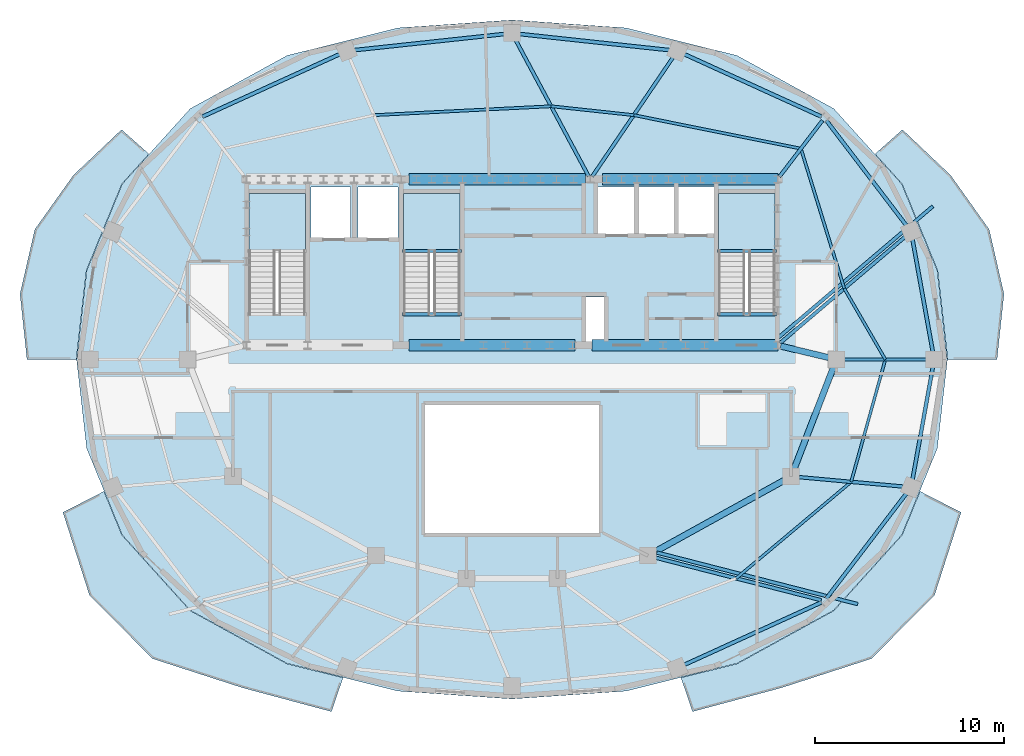
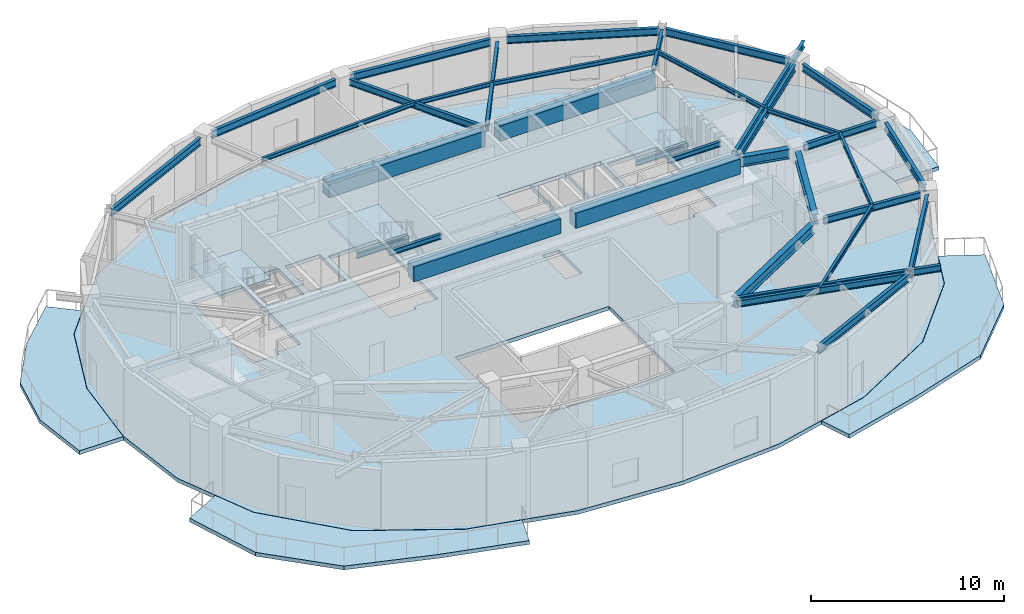
# One storey, part 2 of 9: 36 beams, 8 slabs, 3 elements without a shape of their own.
"""IFC4 building model written with IfcOpenShell, lengths in metres."""

from ifc_helpers import new_model, si_unit, direction, frame, origin, origin_2d, place, context, subcontext, project, spatial, polyline, rectangle, i_section, outline, extrude, material, layer, layer_set, material_profile, profile_set, type_object, element, aggregate, save


model = new_model("IFC4")

# Units and contexts
model_context = context("Model", 3, precision=1e-05, world=origin(), true_north=direction((0.0, 1.0)))
body_context = subcontext(model_context, "Body", "Model", "MODEL_VIEW")
ifc_project = project(units=[si_unit("LENGTHUNIT", "METRE"), si_unit("AREAUNIT", "SQUARE_METRE"), si_unit("VOLUMEUNIT", "CUBIC_METRE"), si_unit("PLANEANGLEUNIT", "RADIAN"), si_unit("MASSUNIT", "GRAM", prefix="KILO")], contexts=[model_context])

# Site, building, storey
site_placement = place(None, origin())
site = spatial("IfcSite", under=ifc_project, at=site_placement, CompositionType="ELEMENT")
building_placement = place(site_placement, origin())
building = spatial("IfcBuilding", under=site, at=building_placement, Name="Haldorwick Loom Tower", CompositionType="ELEMENT")
storey_placement = place(building_placement, frame((0.0, 0.0, 277.5)))
storey = spatial("IfcBuildingStorey", under=building, at=storey_placement, Name="L75", CompositionType="ELEMENT", Elevation=277.5)

# Beams
ifc_material_1 = material(Name="Steel CSA G40.21 350W", Category="steel")
ifc_material_profile_1 = material_profile(ifc_material_1, i_section(OverallWidth=0.179931640625, OverallDepth=0.4130859375, WebThickness=0.009765625, FlangeThickness=0.01611328125, at=origin_2d()), Name="W410X74", Category="steel")
ifc_profile_set_1 = profile_set([ifc_material_profile_1], Name="Steel CSA G40.21 350W")
beam_type_1 = type_object("IfcBeamType", Name="STR-BM-BAL410", PredefinedType="BEAM", material=ifc_profile_set_1)
beam_1_placement = place(storey_placement, frame((43.681396484375, 15.765625, 4.053466796875), z_axis=(0.968611485287, -0.24857954576, 0.0), x_axis=(0.24857954576, 0.968611485287, 0.0)))
element("IfcBeam", 1, at=beam_1_placement, inside=storey, type_object=beam_type_1, Name="L75 Continuous Back-Spanned Balcony Beam 1", PredefinedType="BEAM", context=body_context, shape_type="SweptSolid", body=[
    extrude(i_section(OverallWidth=0.179931640625, OverallDepth=0.4130859375, WebThickness=0.009765625, FlangeThickness=0.01611328125, at=origin_2d()), origin(), (0.0, 0.0, 1.0), 10.98828125),
])
beam_2_placement = place(storey_placement, frame((50.019287109375, 27.074462890625, 4.053466796875), z_axis=(0.761960357793, 0.6476236663, 0.0), x_axis=(-0.6476236663, 0.761960357793, 0.0)))
element("IfcBeam", 2, at=beam_2_placement, inside=storey, type_object=beam_type_1, Name="L75 Continuous Back-Spanned Balcony Beam 4", PredefinedType="BEAM", context=body_context, shape_type="SweptSolid", body=[
    extrude(i_section(OverallWidth=0.179931640625, OverallDepth=0.4130859375, WebThickness=0.009765625, FlangeThickness=0.01611328125, at=origin_2d()), origin(), (0.0, 0.0, 1.0), 10.879150390625),
])
ifc_material_2 = material(Name="Concrete C50 (50 MPa)", Category="concrete")
ifc_material_profile_2 = material_profile(ifc_material_2, rectangle(XDim=0.60009765625, YDim=0.949951171875, at=origin_2d()), Name="RC600X950", Category="concrete")
ifc_profile_set_2 = profile_set([ifc_material_profile_2], Name="Concrete C50 (50 MPa)")
beam_type_2 = type_object("IfcBeamType", Name="STR-BM-CB950", PredefinedType="LINTEL", material=ifc_profile_set_2)
beam_3_placement = place(storey_placement, frame((30.550048828125, 35.550048828125, 3.784912109375), z_axis=(1.0, 0.0, 0.0), x_axis=(0.0, 1.0, 0.0)))
element("IfcBeam", 3, at=beam_3_placement, inside=storey, type_object=beam_type_2, Name="L75 Core Coupling Beam CB-N2", PredefinedType="LINTEL", context=body_context, shape_type="SweptSolid", body=[
    extrude(rectangle(XDim=0.60009765625, YDim=0.949951171875, at=origin_2d()), origin(), (0.0, 0.0, 1.0), 9.349853515625),
])
beam_4_placement = place(storey_placement, frame((40.800048828125, 35.550048828125, 3.784912109375), z_axis=(1.0, 0.0, 0.0), x_axis=(0.0, 1.0, 0.0)))
element("IfcBeam", 4, at=beam_4_placement, inside=storey, type_object=beam_type_2, Name="L75 Core Coupling Beam CB-N3", PredefinedType="LINTEL", context=body_context, shape_type="SweptSolid", body=[
    extrude(rectangle(XDim=0.60009765625, YDim=0.949951171875, at=origin_2d()), origin(), (0.0, 0.0, 1.0), 9.300048828125),
])
beam_5_placement = place(storey_placement, frame((30.550048828125, 26.75, 3.784912109375), z_axis=(1.0, 0.0, 0.0), x_axis=(0.0, 1.0, 0.0)))
element("IfcBeam", 5, at=beam_5_placement, inside=storey, type_object=beam_type_2, Name="L75 Core Coupling Beam CB-S2", PredefinedType="LINTEL", context=body_context, shape_type="SweptSolid", body=[
    extrude(rectangle(XDim=0.60009765625, YDim=0.949951171875, at=origin_2d()), origin(), (0.0, 0.0, 1.0), 8.800048828125),
])
beam_6_placement = place(storey_placement, frame((40.25, 26.75, 3.784912109375), z_axis=(1.0, 0.0, 0.0), x_axis=(0.0, 1.0, 0.0)))
element("IfcBeam", 6, at=beam_6_placement, inside=storey, type_object=beam_type_2, Name="L75 Core Coupling Beam CB-S3", PredefinedType="LINTEL", context=body_context, shape_type="SweptSolid", body=[
    extrude(rectangle(XDim=0.60009765625, YDim=0.949951171875, at=origin_2d()), origin(), (0.0, 0.0, 1.0), 9.85009765625),
])
ifc_material_profile_3 = material_profile(ifc_material_1, i_section(OverallWidth=0.14599609375, OverallDepth=0.258056640625, WebThickness=0.006103515625, FlangeThickness=0.009033203125, at=origin_2d()), Name="W250X33", Category="steel")
ifc_profile_set_3 = profile_set([ifc_material_profile_3], Name="Steel CSA G40.21 350W")
beam_type_3 = type_object("IfcBeamType", Name="STR-BM-J250", PredefinedType="JOIST", material=ifc_profile_set_3)
beam_7_placement = place(storey_placement, frame((55.790283203125, 26.0, 4.131103515625), z_axis=(-0.50089233553, 0.865509600297, 0.0), x_axis=(-0.865509600297, -0.50089233553, 0.0)))
element("IfcBeam", 7, at=beam_7_placement, inside=storey, type_object=beam_type_3, Name="L75 Mid-Bay Secondary Joist 1", PredefinedType="JOIST", context=body_context, shape_type="SweptSolid", body=[
    extrude(i_section(OverallWidth=0.14599609375, OverallDepth=0.258056640625, WebThickness=0.006103515625, FlangeThickness=0.009033203125, at=origin_2d()), origin(), (0.0, 0.0, 1.0), 4.34619140625),
])
beam_8_placement = place(storey_placement, frame((53.61328125, 29.76171875, 4.131103515625), z_axis=(-0.296087580312, 0.955160795251, 0.0), x_axis=(-0.955160795251, -0.296087580312, 0.0)))
element("IfcBeam", 8, at=beam_8_placement, inside=storey, type_object=beam_type_3, Name="L75 Mid-Bay Secondary Joist 2", PredefinedType="JOIST", context=body_context, shape_type="SweptSolid", body=[
    extrude(i_section(OverallWidth=0.14599609375, OverallDepth=0.258056640625, WebThickness=0.006103515625, FlangeThickness=0.009033203125, at=origin_2d()), origin(), (0.0, 0.0, 1.0), 7.762451171875),
])
beam_9_placement = place(storey_placement, frame((51.31494140625, 37.176025390625, 4.131103515625), z_axis=(-0.980500562343, 0.196516277302, 0.0), x_axis=(-0.196516277302, -0.980500562343, 0.0)))
element("IfcBeam", 9, at=beam_9_placement, inside=storey, type_object=beam_type_3, Name="L75 Mid-Bay Secondary Joist 3", PredefinedType="JOIST", context=body_context, shape_type="SweptSolid", body=[
    extrude(i_section(OverallWidth=0.14599609375, OverallDepth=0.258056640625, WebThickness=0.006103515625, FlangeThickness=0.009033203125, at=origin_2d()), origin(), (0.0, 0.0, 1.0), 9.034423828125),
])
beam_10_placement = place(storey_placement, frame((42.456787109375, 38.951416015625, 4.131103515625), z_axis=(-0.994268003688, 0.106916494714, 0.0), x_axis=(-0.106916494714, -0.994268003688, 0.0)))
element("IfcBeam", 10, at=beam_10_placement, inside=storey, type_object=beam_type_3, Name="L75 Mid-Bay Secondary Joist 4", PredefinedType="JOIST", context=body_context, shape_type="SweptSolid", body=[
    extrude(i_section(OverallWidth=0.14599609375, OverallDepth=0.258056640625, WebThickness=0.006103515625, FlangeThickness=0.009033203125, at=origin_2d()), origin(), (0.0, 0.0, 1.0), 4.406982421875),
])
beam_11_placement = place(storey_placement, frame((38.074951171875, 39.422607421875, 4.131103515625), z_axis=(-0.998743777835, -0.050108544536, 0.0), x_axis=(0.050108544536, -0.998743777835, 0.0)))
element("IfcBeam", 11, at=beam_11_placement, inside=storey, type_object=beam_type_3, Name="L75 Mid-Bay Secondary Joist 5", PredefinedType="JOIST", context=body_context, shape_type="SweptSolid", body=[
    extrude(i_section(OverallWidth=0.14599609375, OverallDepth=0.258056640625, WebThickness=0.006103515625, FlangeThickness=0.009033203125, at=origin_2d()), origin(), (0.0, 0.0, 1.0), 9.4033203125),
])
beam_12_placement = place(storey_placement, frame((47.8798828125, 14.39892578125, 4.131103515625), z_axis=(0.766236362394, 0.642558819833, 0.0), x_axis=(-0.642558819833, 0.766236362394, 0.0)))
element("IfcBeam", 12, at=beam_12_placement, inside=storey, type_object=beam_type_3, Name="L75 Mid-Bay Secondary Joist 15", PredefinedType="JOIST", context=body_context, shape_type="SweptSolid", body=[
    extrude(i_section(OverallWidth=0.14599609375, OverallDepth=0.258056640625, WebThickness=0.006103515625, FlangeThickness=0.009033203125, at=origin_2d()), origin(), (0.0, 0.0, 1.0), 7.959228515625),
])
beam_13_placement = place(storey_placement, frame((53.978515625, 19.51318359375, 4.131103515625), z_axis=(0.269004652199, 0.963138877367, 0.0), x_axis=(-0.963138877367, 0.269004652199, 0.0)))
element("IfcBeam", 13, at=beam_13_placement, inside=storey, type_object=beam_type_3, Name="L75 Mid-Bay Secondary Joist 16", PredefinedType="JOIST", context=body_context, shape_type="SweptSolid", body=[
    extrude(i_section(OverallWidth=0.14599609375, OverallDepth=0.258056640625, WebThickness=0.006103515625, FlangeThickness=0.009033203125, at=origin_2d()), origin(), (0.0, 0.0, 1.0), 6.735107421875),
])
ifc_material_profile_4 = material_profile(ifc_material_1, i_section(OverallWidth=0.179931640625, OverallDepth=0.4130859375, WebThickness=0.009765625, FlangeThickness=0.01611328125, at=origin_2d()), Name="W410X74", Category="steel")
ifc_profile_set_4 = profile_set([ifc_material_profile_4], Name="Steel CSA G40.21 350W")
beam_type_4 = type_object("IfcBeamType", Name="STR-BM-J410", PredefinedType="JOIST", material=ifc_profile_set_4)
beam_14_placement = place(storey_placement, frame((53.625, 26.0, 4.053466796875), z_axis=(1.0, 0.0, 0.0), x_axis=(0.0, 1.0, 0.0)))
element("IfcBeam", 14, at=beam_14_placement, inside=storey, type_object=beam_type_4, Name="L75 Radial Floor Girder 1", PredefinedType="JOIST", context=body_context, shape_type="SweptSolid", body=[
    extrude(i_section(OverallWidth=0.179931640625, OverallDepth=0.4130859375, WebThickness=0.009765625, FlangeThickness=0.01611328125, at=origin_2d()), origin(), (0.0, 0.0, 1.0), 4.330810546875),
])
beam_15_placement = place(storey_placement, frame((50.20068359375, 26.861083984375, 4.053466796875), z_axis=(0.761954542494, 0.647630508216, 0.0), x_axis=(-0.647630508216, 0.761954542494, 0.0)))
element("IfcBeam", 15, at=beam_15_placement, inside=storey, type_object=beam_type_4, Name="L75 Radial Floor Girder 2", PredefinedType="JOIST", context=body_context, shape_type="SweptSolid", body=[
    extrude(i_section(OverallWidth=0.179931640625, OverallDepth=0.4130859375, WebThickness=0.009765625, FlangeThickness=0.01611328125, at=origin_2d()), origin(), (0.0, 0.0, 1.0), 8.704345703125),
])
beam_16_placement = place(storey_placement, frame((50.17431640625, 35.686279296875, 4.053466796875), z_axis=(0.607923320425, 0.793995740847, 0.0), x_axis=(-0.793995740847, 0.607923320425, 0.0)))
element("IfcBeam", 16, at=beam_16_placement, inside=storey, type_object=beam_type_4, Name="L75 Radial Floor Girder 3", PredefinedType="JOIST", context=body_context, shape_type="SweptSolid", body=[
    extrude(i_section(OverallWidth=0.179931640625, OverallDepth=0.4130859375, WebThickness=0.009765625, FlangeThickness=0.01611328125, at=origin_2d()), origin(), (0.0, 0.0, 1.0), 3.75244140625),
])
beam_17_placement = place(storey_placement, frame((40.246337890625, 35.69189453125, 4.053466796875), z_axis=(0.561268006634, 0.827634112835, 0.0), x_axis=(-0.827634112835, 0.561268006634, 0.0)))
element("IfcBeam", 17, at=beam_17_placement, inside=storey, type_object=beam_type_4, Name="L75 Radial Floor Girder 4", PredefinedType="JOIST", context=body_context, shape_type="SweptSolid", body=[
    extrude(i_section(OverallWidth=0.179931640625, OverallDepth=0.4130859375, WebThickness=0.009765625, FlangeThickness=0.01611328125, at=origin_2d()), origin(), (0.0, 0.0, 1.0), 7.623046875),
])
beam_18_placement = place(storey_placement, frame((40.069091796875, 35.701171875, 4.053466796875), z_axis=(-0.472299991388, 0.881437869696, 0.0), x_axis=(-0.881437869696, -0.472299991388, 0.0)))
element("IfcBeam", 18, at=beam_18_placement, inside=storey, type_object=beam_type_4, Name="L75 Radial Floor Girder 5", PredefinedType="JOIST", context=body_context, shape_type="SweptSolid", body=[
    extrude(i_section(OverallWidth=0.179931640625, OverallDepth=0.4130859375, WebThickness=0.009765625, FlangeThickness=0.01611328125, at=origin_2d()), origin(), (0.0, 0.0, 1.0), 8.190673828125),
])
beam_19_placement = place(storey_placement, frame((43.61181640625, 15.494384765625, 4.053466796875), z_axis=(0.968607693966, -0.248594318498, 0.0), x_axis=(0.248594318498, 0.968607693966, 0.0)))
element("IfcBeam", 19, at=beam_19_placement, inside=storey, type_object=beam_type_4, Name="L75 Radial Floor Girder 15", PredefinedType="JOIST", context=body_context, shape_type="SweptSolid", body=[
    extrude(i_section(OverallWidth=0.179931640625, OverallDepth=0.4130859375, WebThickness=0.009765625, FlangeThickness=0.01611328125, at=origin_2d()), origin(), (0.0, 0.0, 1.0), 9.066650390625),
])
beam_20_placement = place(storey_placement, frame((51.223388671875, 19.76171875, 4.053466796875), z_axis=(0.995955545461, -0.08984737873, 0.0), x_axis=(0.08984737873, 0.995955545461, 0.0)))
element("IfcBeam", 20, at=beam_20_placement, inside=storey, type_object=beam_type_4, Name="L75 Radial Floor Girder 16", PredefinedType="JOIST", context=body_context, shape_type="SweptSolid", body=[
    extrude(i_section(OverallWidth=0.179931640625, OverallDepth=0.4130859375, WebThickness=0.009765625, FlangeThickness=0.01611328125, at=origin_2d()), origin(), (0.0, 0.0, 1.0), 5.532470703125),
])
ifc_material_profile_5 = material_profile(ifc_material_1, i_section(OverallWidth=0.193115234375, OverallDepth=0.466064453125, WebThickness=0.011474609375, FlangeThickness=0.01904296875, at=origin_2d()), Name="W460X97", Category="steel")
ifc_profile_set_5 = profile_set([ifc_material_profile_5], Name="Steel CSA G40.21 350W")
beam_type_5 = type_object("IfcBeamType", Name="STR-BM-SP460", PredefinedType="SPANDREL", material=ifc_profile_set_5)
beam_21_placement = place(storey_placement, frame((58.30517578125, 26.418212890625, 4.027099609375), z_axis=(-0.177809893073, 0.984064856565, 0.0), x_axis=(-0.984064856565, -0.177809893073, 0.0)))
element("IfcBeam", 21, at=beam_21_placement, inside=storey, type_object=beam_type_5, Name="L75 Perimeter Spandrel 1", PredefinedType="SPANDREL", context=body_context, shape_type="SweptSolid", body=[
    extrude(i_section(OverallWidth=0.193115234375, OverallDepth=0.466064453125, WebThickness=0.011474609375, FlangeThickness=0.01904296875, at=origin_2d()), origin(), (0.0, 0.0, 1.0), 6.033203125),
])
beam_22_placement = place(storey_placement, frame((56.899169921875, 33.111572265625, 4.027099609375), z_axis=(-0.606384376075, 0.795171672315, 0.0), x_axis=(-0.795171672315, -0.606384376075, 0.0)))
element("IfcBeam", 22, at=beam_22_placement, inside=storey, type_object=beam_type_5, Name="L75 Perimeter Spandrel 2", PredefinedType="SPANDREL", context=body_context, shape_type="SweptSolid", body=[
    extrude(i_section(OverallWidth=0.193115234375, OverallDepth=0.466064453125, WebThickness=0.011474609375, FlangeThickness=0.01904296875, at=origin_2d()), origin(), (0.0, 0.0, 1.0), 6.984619140625),
])
beam_23_placement = place(storey_placement, frame((52.40380859375, 38.873046875, 4.027099609375), z_axis=(-0.910060964072, 0.414474416185, 0.0), x_axis=(-0.414474416185, -0.910060964072, 0.0)))
element("IfcBeam", 23, at=beam_23_placement, inside=storey, type_object=beam_type_5, Name="L75 Perimeter Spandrel 3", PredefinedType="SPANDREL", context=body_context, shape_type="SweptSolid", body=[
    extrude(i_section(OverallWidth=0.193115234375, OverallDepth=0.466064453125, WebThickness=0.011474609375, FlangeThickness=0.01904296875, at=origin_2d()), origin(), (0.0, 0.0, 1.0), 7.97021484375),
])
for number, where, z_axis, x_axis, name in (
    (24, (44.3408203125, 42.398193359375, 4.027099609375), (-0.994266744602, 0.106928202916, 0.0), (-0.106928202916, -0.994266744602, 0.0), "L75 Perimeter Spandrel 4"),
    (25, (35.577392578125, 43.249755859375, 4.027099609375), (-0.994266744602, -0.106928202916, 0.0), (0.106928202916, -0.994266744602, 0.0), "L75 Perimeter Spandrel 5"),
):
    element("IfcBeam", number, at=place(storey_placement, frame(where, z_axis=z_axis, x_axis=x_axis)), inside=storey, type_object=beam_type_5, Name=name, PredefinedType="SPANDREL", context=body_context, shape_type="SweptSolid", body=[
        extrude(i_section(OverallWidth=0.193115234375, OverallDepth=0.466064453125, WebThickness=0.011474609375, FlangeThickness=0.01904296875, at=origin_2d()), origin(), (0.0, 0.0, 1.0), 7.9638671875),
    ])
for number, where, z_axis, x_axis, name in (
    (26, (26.849609375, 42.176513671875, 4.027099609375), (-0.910060964072, -0.414474416185, 0.0), (0.414474416185, -0.910060964072, 0.0), "L75 Perimeter Spandrel 6"),
    (27, (45.150390625, 9.823486328125, 4.027099609375), (0.910060964072, 0.414474416185, 0.0), (-0.414474416185, 0.910060964072, 0.0), "L75 Perimeter Spandrel 14"),
):
    element("IfcBeam", number, at=place(storey_placement, frame(where, z_axis=z_axis, x_axis=x_axis)), inside=storey, type_object=beam_type_5, Name=name, PredefinedType="SPANDREL", context=body_context, shape_type="SweptSolid", body=[
        extrude(i_section(OverallWidth=0.193115234375, OverallDepth=0.466064453125, WebThickness=0.011474609375, FlangeThickness=0.01904296875, at=origin_2d()), origin(), (0.0, 0.0, 1.0), 7.97021484375),
    ])
beam_24_placement = place(storey_placement, frame((52.663818359375, 13.33447265625, 4.027099609375), z_axis=(0.606384376075, 0.795171672315, 0.0), x_axis=(-0.795171672315, 0.606384376075, 0.0)))
element("IfcBeam", 28, at=beam_24_placement, inside=storey, type_object=beam_type_5, Name="L75 Perimeter Spandrel 15", PredefinedType="SPANDREL", context=body_context, shape_type="SweptSolid", body=[
    extrude(i_section(OverallWidth=0.193115234375, OverallDepth=0.466064453125, WebThickness=0.011474609375, FlangeThickness=0.01904296875, at=origin_2d()), origin(), (0.0, 0.0, 1.0), 6.984619140625),
])
beam_25_placement = place(storey_placement, frame((57.232421875, 19.644775390625, 4.027099609375), z_axis=(0.177809893073, 0.984064856565, 0.0), x_axis=(-0.984064856565, 0.177809893073, 0.0)))
element("IfcBeam", 29, at=beam_25_placement, inside=storey, type_object=beam_type_5, Name="L75 Perimeter Spandrel 16", PredefinedType="SPANDREL", context=body_context, shape_type="SweptSolid", body=[
    extrude(i_section(OverallWidth=0.193115234375, OverallDepth=0.466064453125, WebThickness=0.011474609375, FlangeThickness=0.01904296875, at=origin_2d()), origin(), (0.0, 0.0, 1.0), 6.033203125),
])
ifc_material_profile_6 = material_profile(ifc_material_1, i_section(OverallWidth=0.166015625, OverallDepth=0.31298828125, WebThickness=0.006591796875, FlangeThickness=0.01123046875, at=origin_2d()), Name="W310X45", Category="steel")
ifc_profile_set_6 = profile_set([ifc_material_profile_6], Name="Steel CSA G40.21 350W")
beam_type_6 = type_object("IfcBeamType", Name="STR-BM-STRM", PredefinedType="BEAM", material=ifc_profile_set_6)
for number, where, z_axis, x_axis, name in (
    (30, (46.889892578125, 28.39990234375, 4.103515625), (1.0, 0.0, 0.0), (0.0, 1.0, 0.0), "L75 Stair ST-02 Landing Edge Trimmer"),
    (31, (46.889892578125, 31.760009765625, 1.8935546875), (1.0, 0.0, 0.0), (0.0, 1.0, 0.0), "L75 Stair ST-02 Half-Landing Trimmer 1"),
    (32, (30.18994140625, 28.39990234375, 4.103515625), (1.0, 0.0, 0.0), (0.0, 1.0, 0.0), "L75 Stair ST-03 Landing Edge Trimmer"),
    (33, (30.18994140625, 31.760009765625, 1.8935546875), (1.0, 0.0, 0.0), (0.0, 1.0, 0.0), "L75 Stair ST-03 Half-Landing Trimmer 1"),
):
    element("IfcBeam", number, at=place(storey_placement, frame(where, z_axis=z_axis, x_axis=x_axis)), inside=storey, type_object=beam_type_6, Name=name, PredefinedType="BEAM", context=body_context, shape_type="SweptSolid", body=[
        extrude(i_section(OverallWidth=0.166015625, OverallDepth=0.31298828125, WebThickness=0.006591796875, FlangeThickness=0.01123046875, at=origin_2d()), origin(), (0.0, 0.0, 1.0), 3.1201171875),
    ])
ifc_material_profile_7 = material_profile(ifc_material_1, i_section(OverallWidth=0.324951171875, OverallDepth=0.615966796875, WebThickness=0.013916015625, FlangeThickness=0.021484375, at=origin_2d()), Name="W610X174", Category="steel")
ifc_profile_set_7 = profile_set([ifc_material_profile_7], Name="Steel CSA G40.21 350W")
beam_type_7 = type_object("IfcBeamType", Name="STR-BM-W610A", PredefinedType="BEAM", material=ifc_profile_set_7)
beam_26_placement = place(storey_placement, frame((50.23681640625, 26.7099609375, 3.951904296875), z_axis=(0.972483573168, -0.232971457302, 0.0), x_axis=(0.232971457302, 0.972483573168, 0.0)))
element("IfcBeam", 34, at=beam_26_placement, inside=storey, type_object=beam_type_7, Name="L75 Inner Ring Girder 1", PredefinedType="BEAM", context=body_context, shape_type="SweptSolid", body=[
    extrude(i_section(OverallWidth=0.324951171875, OverallDepth=0.615966796875, WebThickness=0.013916015625, FlangeThickness=0.021484375, at=origin_2d()), origin(), (0.0, 0.0, 1.0), 2.6220703125),
])
beam_27_placement = place(storey_placement, frame((53.046630859375, 25.603759765625, 3.951904296875), z_axis=(-0.361001189766, -0.932565354808, 0.0), x_axis=(0.932565354808, -0.361001189766, 0.0)))
element("IfcBeam", 35, at=beam_27_placement, inside=storey, type_object=beam_type_7, Name="L75 Inner Ring Girder 2", PredefinedType="BEAM", context=body_context, shape_type="SweptSolid", body=[
    extrude(i_section(OverallWidth=0.324951171875, OverallDepth=0.615966796875, WebThickness=0.013916015625, FlangeThickness=0.021484375, at=origin_2d()), origin(), (0.0, 0.0, 1.0), 5.798583984375),
])
beam_28_placement = place(storey_placement, frame((50.427978515625, 19.594482421875, 3.951904296875), z_axis=(-0.875241535439, -0.48368611169, 0.0), x_axis=(0.48368611169, -0.875241535439, 0.0)))
element("IfcBeam", 36, at=beam_28_placement, inside=storey, type_object=beam_type_7, Name="L75 Inner Ring Girder 3", PredefinedType="BEAM", context=body_context, shape_type="SweptSolid", body=[
    extrude(i_section(OverallWidth=0.324951171875, OverallDepth=0.615966796875, WebThickness=0.013916015625, FlangeThickness=0.021484375, at=origin_2d()), origin(), (0.0, 0.0, 1.0), 7.833251953125),
])

# Slabs
ifc_material_3 = material(Name="Concrete C40 (40 MPa)", Category="concrete")
ifc_layer_1 = layer(ifc_material_3, 0.239990234375, Name="Concrete C40 (40 MPa)", Category="concrete")
ifc_layer_set_1 = layer_set([ifc_layer_1], Name="Concrete C40 (40 MPa)")
slab_type_1 = type_object("IfcSlabType", Name="STR-SLB-BAL240", PredefinedType="FLOOR", material=ifc_layer_set_1)
slab_1_placement = place(storey_placement, frame((0.0, 0.0, -0.239990234375)))
element("IfcSlab", 37, at=slab_1_placement, inside=storey, type_object=slab_type_1, Name="L75 Sinusoidal Balcony Terrace BAL_SE", PredefinedType="FLOOR", context=body_context, shape_type="SweptSolid", body=[
    extrude(outline(polyline([(57.627197265625, 19.010986328125), (56.677001953125, 16.693115234375), (56.67626953125, 16.69189453125), (56.67578125, 16.69091796875), (56.675048828125, 16.689697265625), (56.674072265625, 16.688720703125), (53.06591796875, 12.69287109375), (53.064697265625, 12.69189453125), (53.0634765625, 12.690673828125), (53.06201171875, 12.68994140625), (47.93701171875, 9.876708984375), (47.935791015625, 9.876220703125), (47.934814453125, 9.87548828125), (47.933349609375, 9.875244140625), (44.957275390625, 9.1337890625), (45.56982421875, 7.3330078125), (50.28662109375, 8.5986328125), (55.05322265625, 10.139892578125), (58.395751953125, 13.503662109375), (59.80517578125, 17.895263671875), (57.627197265625, 19.010986328125)])), origin(), (0.0, 0.0, 1.0), 0.239990234375),
])
slab_2_placement = place(storey_placement, frame((0.0, 0.0, -0.239990234375)))
element("IfcSlab", 38, at=slab_2_placement, inside=storey, type_object=slab_type_1, Name="L75 Sinusoidal Balcony Terrace BAL_SW", PredefinedType="FLOOR", context=body_context, shape_type="SweptSolid", body=[
    extrude(outline(polyline([(27.042724609375, 9.1337890625), (24.066650390625, 9.875244140625), (24.065185546875, 9.87548828125), (24.064208984375, 9.876220703125), (24.06298828125, 9.876708984375), (18.93798828125, 12.68994140625), (18.9365234375, 12.690673828125), (18.935302734375, 12.69189453125), (18.93408203125, 12.69287109375), (15.325927734375, 16.688720703125), (15.324951171875, 16.689697265625), (15.32421875, 16.69091796875), (15.32373046875, 16.69189453125), (15.322998046875, 16.693115234375), (14.372802734375, 19.010986328125), (12.19482421875, 17.895263671875), (13.604248046875, 13.503662109375), (16.94677734375, 10.139892578125), (21.71337890625, 8.5986328125), (26.43017578125, 7.3330078125), (27.042724609375, 9.1337890625)])), origin(), (0.0, 0.0, 1.0), 0.239990234375),
])
slab_3_placement = place(storey_placement, frame((0.0, 0.0, -0.239990234375)))
element("IfcSlab", 39, at=slab_3_placement, inside=storey, type_object=slab_type_1, Name="L75 Sinusoidal Balcony Terrace BAL_WNW", PredefinedType="FLOOR", context=body_context, shape_type="SweptSolid", body=[
    extrude(outline(polyline([(12.904296875, 26.0), (12.904296875, 26.001708984375), (13.43994140625, 30.711669921875), (13.440185546875, 30.712890625), (13.440673828125, 30.71435546875), (13.44091796875, 30.715576171875), (15.322998046875, 35.306884765625), (15.32373046875, 35.30810546875), (15.32421875, 35.30908203125), (15.324951171875, 35.310302734375), (15.325927734375, 35.311279296875), (16.756103515625, 36.89501953125), (15.30419921875, 38.184814453125), (12.752197265625, 35.767578125), (10.707763671875, 32.8974609375), (9.92041015625, 29.47412109375), (10.289306640625, 26.0), (12.904296875, 26.0)])), origin(), (0.0, 0.0, 1.0), 0.239990234375),
])
slab_4_placement = place(storey_placement, frame((0.0, 0.0, -0.239990234375)))
element("IfcSlab", 40, at=slab_4_placement, inside=storey, type_object=slab_type_1, Name="L75 Sinusoidal Balcony Terrace BAL_ENE", PredefinedType="FLOOR", context=body_context, shape_type="SweptSolid", body=[
    extrude(outline(polyline([(55.243896484375, 36.89501953125), (56.674072265625, 35.311279296875), (56.675048828125, 35.310302734375), (56.67578125, 35.30908203125), (56.67626953125, 35.30810546875), (56.677001953125, 35.306884765625), (58.55908203125, 30.715576171875), (58.559326171875, 30.71435546875), (58.559814453125, 30.712890625), (58.56005859375, 30.711669921875), (59.095703125, 26.001708984375), (59.095703125, 26.0), (61.710693359375, 26.0), (62.07958984375, 29.47412109375), (61.292236328125, 32.8974609375), (59.247802734375, 35.767578125), (56.69580078125, 38.184814453125), (55.243896484375, 36.89501953125)])), origin(), (0.0, 0.0, 1.0), 0.239990234375),
])

# Stair, slab
stair_type = type_object("IfcStairType", Name="STR-STR-CORE", PredefinedType="HALF_TURN_STAIR", material=ifc_material_3)
stair_1_placement = place(storey_placement, origin())
stair_1 = element("IfcStair", 41, at=stair_1_placement, inside=storey, type_object=stair_type, Name="L75 Exit Stair ST-01", PredefinedType="HALF_TURN_STAIR")
ifc_layer_2 = layer(ifc_material_3, 0.199951171875, Name="Concrete C40 (40 MPa)", Category="concrete")
ifc_layer_set_2 = layer_set([ifc_layer_2], Name="Concrete C40 (40 MPa)")
slab_type_2 = type_object("IfcSlabType", Name="STR-SLB-LAND200", PredefinedType="LANDING", material=ifc_layer_set_2)
slab_5_placement = place(storey_placement, frame((0.0, 0.0, 2.050048828125)))
slab_5 = element("IfcSlab", 42, at=slab_5_placement, type_object=slab_type_2, Name="ST-01 landing 1", PredefinedType="LANDING", context=body_context, shape_type="SweptSolid", body=[
    extrude(outline(polyline([(25.050048828125, 31.760009765625), (25.050048828125, 34.800048828125), (22.050048828125, 34.800048828125), (22.050048828125, 31.760009765625), (25.050048828125, 31.760009765625)])), origin(), (0.0, 0.0, 1.0), 0.199951171875),
])
aggregate(stair_1, [slab_5])

stair_2_placement = place(storey_placement, origin())
stair_2 = element("IfcStair", 43, at=stair_2_placement, inside=storey, type_object=stair_type, Name="L75 Exit Stair ST-02", PredefinedType="HALF_TURN_STAIR")
slab_6_placement = place(storey_placement, frame((0.0, 0.0, 2.050048828125)))
slab_6 = element("IfcSlab", 44, at=slab_6_placement, type_object=slab_type_2, Name="ST-02 landing 1", PredefinedType="LANDING", context=body_context, shape_type="SweptSolid", body=[
    extrude(outline(polyline([(49.949951171875, 31.760009765625), (49.949951171875, 34.800048828125), (46.949951171875, 34.800048828125), (46.949951171875, 31.760009765625), (49.949951171875, 31.760009765625)])), origin(), (0.0, 0.0, 1.0), 0.199951171875),
])
aggregate(stair_2, [slab_6])

stair_3_placement = place(storey_placement, origin())
stair_3 = element("IfcStair", 45, at=stair_3_placement, inside=storey, type_object=stair_type, Name="L75 Exit Stair ST-03", PredefinedType="HALF_TURN_STAIR")
slab_7_placement = place(storey_placement, frame((0.0, 0.0, 2.050048828125)))
slab_7 = element("IfcSlab", 46, at=slab_7_placement, type_object=slab_type_2, Name="ST-03 landing 1", PredefinedType="LANDING", context=body_context, shape_type="SweptSolid", body=[
    extrude(outline(polyline([(33.25, 31.760009765625), (33.25, 34.800048828125), (30.25, 34.800048828125), (30.25, 31.760009765625), (33.25, 31.760009765625)])), origin(), (0.0, 0.0, 1.0), 0.199951171875),
])
aggregate(stair_3, [slab_7])

# Slab
ifc_layer_3 = layer(ifc_material_3, 0.239990234375, Name="Concrete C40 (40 MPa)", Category="concrete")
ifc_layer_set_3 = layer_set([ifc_layer_3], Name="Concrete C40 (40 MPa)")
slab_type_3 = type_object("IfcSlabType", Name="STR-SLB-RES240", PredefinedType="FLOOR", material=ifc_layer_set_3)
slab_8_placement = place(storey_placement, frame((0.0, 0.0, -0.239990234375)))
element("IfcSlab", 47, at=slab_8_placement, inside=storey, type_object=slab_type_3, Name="L75 Residential Structural Floor Slab", PredefinedType="FLOOR", context=body_context, shape_type="SweptSolid", body=[
    extrude(outline(polyline([(53.0546875, 12.702880859375), (56.6630859375, 16.69873046875), (58.545166015625, 21.2900390625), (59.080810546875, 26.0), (58.545166015625, 30.7099609375), (56.6630859375, 35.30126953125), (53.0546875, 39.297119140625), (47.9296875, 42.110107421875), (42.041015625, 43.577392578125), (36.0, 43.9951171875), (29.958984375, 43.577392578125), (24.0703125, 42.110107421875), (18.9453125, 39.297119140625), (15.3369140625, 35.30126953125), (13.454833984375, 30.7099609375), (12.919189453125, 26.0), (13.454833984375, 21.2900390625), (15.3369140625, 16.69873046875), (18.9453125, 12.702880859375), (24.0703125, 9.889892578125), (29.958984375, 8.422607421875), (36.0, 8.0048828125), (42.041015625, 8.422607421875), (47.9296875, 9.889892578125), (53.0546875, 12.702880859375)]), holes=[polyline([(31.39990234375, 16.800048828125), (31.39990234375, 23.60009765625), (40.60009765625, 23.60009765625), (40.60009765625, 16.800048828125), (31.39990234375, 16.800048828125)]), polyline([(40.89990234375, 26.89990234375), (39.89990234375, 26.89990234375), (39.89990234375, 29.300048828125), (40.89990234375, 29.300048828125), (40.89990234375, 26.89990234375)]), polyline([(23.6201171875, 28.39990234375), (22.050048828125, 28.39990234375), (22.050048828125, 34.800048828125), (25.050048828125, 34.800048828125), (25.050048828125, 28.639892578125), (23.6201171875, 28.639892578125), (23.6201171875, 28.39990234375)]), polyline([(30.25, 28.39990234375), (30.25, 34.800048828125), (33.25, 34.800048828125), (33.25, 28.639892578125), (31.820068359375, 28.639892578125), (31.820068359375, 28.39990234375), (30.25, 28.39990234375)]), polyline([(46.949951171875, 28.39990234375), (46.949951171875, 34.800048828125), (49.949951171875, 34.800048828125), (49.949951171875, 28.639892578125), (48.52001953125, 28.639892578125), (48.52001953125, 28.39990234375), (46.949951171875, 28.39990234375)]), polyline([(27.449951171875, 32.449951171875), (25.35009765625, 32.449951171875), (25.35009765625, 35.14990234375), (27.449951171875, 35.14990234375), (27.449951171875, 32.449951171875)]), polyline([(29.949951171875, 32.449951171875), (27.85009765625, 32.449951171875), (27.85009765625, 35.14990234375), (29.949951171875, 35.14990234375), (29.949951171875, 32.449951171875)]), polyline([(42.550048828125, 32.64990234375), (40.550048828125, 32.64990234375), (40.550048828125, 35.14990234375), (42.550048828125, 35.14990234375), (42.550048828125, 32.64990234375)]), polyline([(42.64990234375, 32.64990234375), (42.64990234375, 35.14990234375), (44.64990234375, 35.14990234375), (44.64990234375, 32.64990234375), (42.64990234375, 32.64990234375)]), polyline([(44.75, 32.64990234375), (44.75, 35.14990234375), (46.75, 35.14990234375), (46.75, 32.64990234375), (44.75, 32.64990234375)])]), origin(), (0.0, 0.0, 1.0), 0.239990234375),
])

save(model, "model.ifc")
